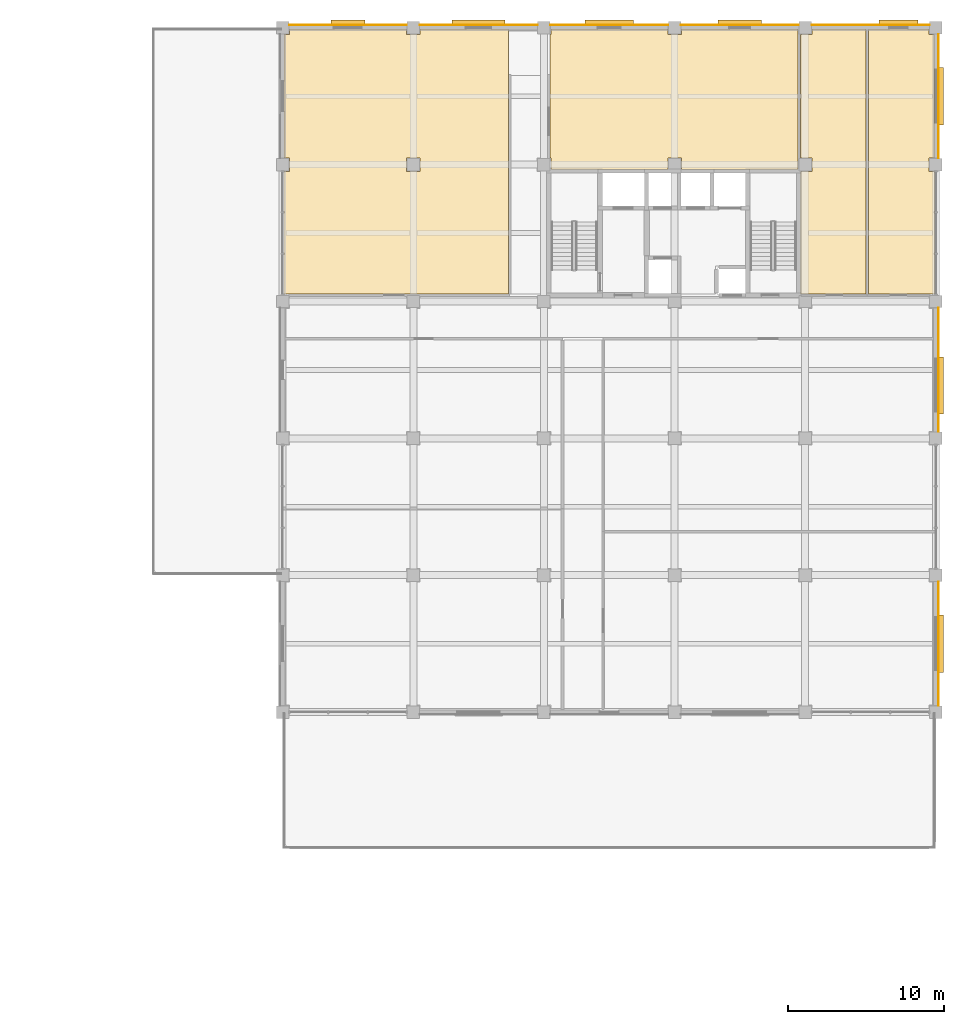
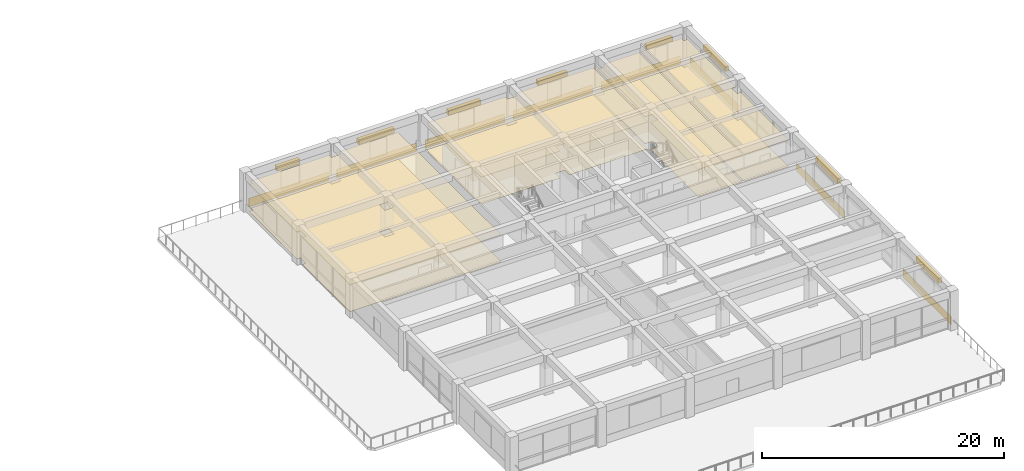
# One storey, part 49 of 49: 16 coverings, 8 shading devices.
"""IFC4 building model written with IfcOpenShell, lengths in metres."""

from ifc_helpers import new_model, si_unit, direction, frame, origin, origin_2d, place, context, subcontext, project, spatial, polyline, rectangle, outline, extrude, material, layer, layer_set, type_object, element, save


model = new_model("IFC4")

# Units and contexts
model_context = context("Model", 3, precision=1e-05, world=origin(), true_north=direction((0.0, 1.0)))
body_context = subcontext(model_context, "Body", "Model", "MODEL_VIEW")
ifc_project = project(units=[si_unit("LENGTHUNIT", "METRE"), si_unit("AREAUNIT", "SQUARE_METRE"), si_unit("VOLUMEUNIT", "CUBIC_METRE"), si_unit("PLANEANGLEUNIT", "RADIAN"), si_unit("MASSUNIT", "GRAM", prefix="KILO")], contexts=[model_context])

# Site, building, storey
site_placement = place(None, origin())
site = spatial("IfcSite", under=ifc_project, at=site_placement, CompositionType="ELEMENT")
building_placement = place(site_placement, origin())
building = spatial("IfcBuilding", under=site, at=building_placement, Name="Kemercrest Conservatory and Botanical Centre", CompositionType="ELEMENT")
storey_placement = place(building_placement, frame((0.0, 0.0, 13.199951171875)))
storey = spatial("IfcBuildingStorey", under=building, at=storey_placement, Name="L03", CompositionType="ELEMENT", Elevation=13.199951171875)

# Coverings
ifc_material_1 = material(Name="Glazed turquoise ceramic tile spandrel", Category="masonry")
ifc_layer_1 = layer(ifc_material_1, 0.028076171875)
ifc_layer_set_1 = layer_set([ifc_layer_1], Name="Glazed turquoise ceramic tile spandrel")
covering_type_1 = type_object("IfcCoveringType", Name="CV-CLD028", PredefinedType="CLADDING", material=ifc_layer_set_1)
covering_1_placement = place(storey_placement, origin())
element("IfcCovering", 1, at=covering_1_placement, inside=storey, type_object=covering_type_1, Name="Exterior stone spandrel cladding (WAL:L03:EXT-213)", PredefinedType="CLADDING", context=body_context, shape_type="SweptSolid", body=[
    extrude(outline(polyline([(176.14990234375, 78.81005859375), (176.177978515625, 78.81005859375), (176.177978515625, 86.7900390625), (176.14990234375, 86.7900390625), (176.14990234375, 78.81005859375)])), origin(), (0.0, 0.0, 1.0), 0.85009765625),
])
covering_2_placement = place(storey_placement, origin())
element("IfcCovering", 2, at=covering_2_placement, inside=storey, type_object=covering_type_1, Name="Exterior stone spandrel cladding (WAL:L03:EXT-214)", PredefinedType="CLADDING", context=body_context, shape_type="SweptSolid", body=[
    extrude(outline(polyline([(176.14990234375, 96.409912109375), (176.177978515625, 96.409912109375), (176.177978515625, 104.389892578125), (176.14990234375, 104.389892578125), (176.14990234375, 96.409912109375)])), origin(), (0.0, 0.0, 1.0), 0.85009765625),
])
covering_3_placement = place(storey_placement, origin())
element("IfcCovering", 3, at=covering_3_placement, inside=storey, type_object=covering_type_1, Name="Exterior stone spandrel cladding (WAL:L03:EXT-215)", PredefinedType="CLADDING", context=body_context, shape_type="SweptSolid", body=[
    extrude(outline(polyline([(176.14990234375, 114.010009765625), (176.177978515625, 114.010009765625), (176.177978515625, 121.989990234375), (176.14990234375, 121.989990234375), (176.14990234375, 114.010009765625)])), origin(), (0.0, 0.0, 1.0), 0.85009765625),
])
covering_4_placement = place(storey_placement, origin())
element("IfcCovering", 4, at=covering_4_placement, inside=storey, type_object=covering_type_1, Name="Exterior stone spandrel cladding (WAL:L03:EXT-216)", PredefinedType="CLADDING", context=body_context, shape_type="SweptSolid", body=[
    extrude(outline(polyline([(175.590087890625, 122.550048828125), (175.590087890625, 122.577880859375), (168.010009765625, 122.577880859375), (168.010009765625, 122.550048828125), (175.590087890625, 122.550048828125)])), origin(), (0.0, 0.0, 1.0), 0.85009765625),
])
covering_5_placement = place(storey_placement, origin())
element("IfcCovering", 5, at=covering_5_placement, inside=storey, type_object=covering_type_1, Name="Exterior stone spandrel cladding (WAL:L03:EXT-217)", PredefinedType="CLADDING", context=body_context, shape_type="SweptSolid", body=[
    extrude(outline(polyline([(167.18994140625, 122.550048828125), (167.18994140625, 122.577880859375), (159.610107421875, 122.577880859375), (159.610107421875, 122.550048828125), (167.18994140625, 122.550048828125)])), origin(), (0.0, 0.0, 1.0), 0.85009765625),
])
covering_6_placement = place(storey_placement, origin())
element("IfcCovering", 6, at=covering_6_placement, inside=storey, type_object=covering_type_1, Name="Exterior stone spandrel cladding (WAL:L03:EXT-218)", PredefinedType="CLADDING", context=body_context, shape_type="SweptSolid", body=[
    extrude(outline(polyline([(158.7900390625, 122.550048828125), (158.7900390625, 122.577880859375), (151.2099609375, 122.577880859375), (151.2099609375, 122.550048828125), (158.7900390625, 122.550048828125)])), origin(), (0.0, 0.0, 1.0), 0.85009765625),
])
covering_7_placement = place(storey_placement, origin())
element("IfcCovering", 7, at=covering_7_placement, inside=storey, type_object=covering_type_1, Name="Exterior stone spandrel cladding (WAL:L03:EXT-219)", PredefinedType="CLADDING", context=body_context, shape_type="SweptSolid", body=[
    extrude(outline(polyline([(150.389892578125, 122.550048828125), (150.389892578125, 122.577880859375), (142.81005859375, 122.577880859375), (142.81005859375, 122.550048828125), (150.389892578125, 122.550048828125)])), origin(), (0.0, 0.0, 1.0), 0.85009765625),
])
covering_8_placement = place(storey_placement, origin())
element("IfcCovering", 8, at=covering_8_placement, inside=storey, type_object=covering_type_1, Name="Exterior stone spandrel cladding (WAL:L03:EXT-220)", PredefinedType="CLADDING", context=body_context, shape_type="SweptSolid", body=[
    extrude(outline(polyline([(141.989990234375, 122.550048828125), (141.989990234375, 122.577880859375), (134.409912109375, 122.577880859375), (134.409912109375, 122.550048828125), (141.989990234375, 122.550048828125)])), origin(), (0.0, 0.0, 1.0), 0.85009765625),
])
ifc_material_2 = material(Name="Perforated acoustic gypsum and mineral-fibre suspended ceiling", Category="gypsum")
ifc_layer_2 = layer(ifc_material_2, 0.034912109375)
ifc_layer_set_2 = layer_set([ifc_layer_2], Name="Perforated acoustic gypsum and mineral-fibre suspended ceiling")
covering_type_2 = type_object("IfcCoveringType", Name="CV-CLG035", PredefinedType="CEILING", material=ifc_layer_set_2)
covering_9_placement = place(storey_placement, frame((0.0, 0.0, 2.699951171875)))
element("IfcCovering", 9, at=covering_9_placement, inside=storey, type_object=covering_type_2, Name="Principal Investigator Office suspended acoustic ceiling", PredefinedType="CEILING", context=body_context, shape_type="SweptSolid", body=[
    extrude(outline(polyline([(134.43994140625, 113.159912109375), (134.080078125, 113.159912109375), (134.080078125, 105.280029296875), (148.52001953125, 105.280029296875), (148.52001953125, 122.320068359375), (142.840087890625, 122.320068359375), (142.840087890625, 121.9599609375), (141.9599609375, 121.9599609375), (141.9599609375, 122.320068359375), (134.43994140625, 122.320068359375), (134.43994140625, 121.9599609375), (134.080078125, 121.9599609375), (134.080078125, 114.0400390625), (134.43994140625, 114.0400390625), (134.43994140625, 113.159912109375)]), holes=[polyline([(142.840087890625, 114.0400390625), (142.840087890625, 113.159912109375), (141.9599609375, 113.159912109375), (141.9599609375, 114.0400390625), (142.840087890625, 114.0400390625)])]), origin(), (0.0, 0.0, 1.0), 0.03515625),
])
covering_10_placement = place(storey_placement, frame((0.0, 0.0, 2.699951171875)))
element("IfcCovering", 10, at=covering_10_placement, inside=storey, type_object=covering_type_2, Name="Growth Chamber Suite suspended acoustic ceiling", PredefinedType="CEILING", context=body_context, shape_type="SweptSolid", body=[
    extrude(outline(polyline([(159.639892578125, 113.280029296875), (167.1201171875, 113.280029296875), (167.1201171875, 122.320068359375), (159.639892578125, 122.320068359375), (159.639892578125, 121.9599609375), (158.760009765625, 121.9599609375), (158.760009765625, 122.320068359375), (151.239990234375, 122.320068359375), (151.239990234375, 121.9599609375), (151.179931640625, 121.9599609375), (151.179931640625, 114.0400390625), (151.239990234375, 114.0400390625), (151.239990234375, 113.280029296875), (158.760009765625, 113.280029296875), (158.760009765625, 114.0400390625), (159.639892578125, 114.0400390625), (159.639892578125, 113.280029296875)])), origin(), (0.0, 0.0, 1.0), 0.03515625),
])
covering_11_placement = place(storey_placement, frame((0.0, 0.0, 2.699951171875)))
element("IfcCovering", 11, at=covering_11_placement, inside=storey, type_object=covering_type_2, Name="Staff Washroom suspended acoustic ceiling", PredefinedType="CEILING", context=body_context, shape_type="SweptSolid", body=[
    extrude(outline(polyline([(167.280029296875, 105.280029296875), (171.52001953125, 105.280029296875), (171.52001953125, 122.320068359375), (168.0400390625, 122.320068359375), (168.0400390625, 121.9599609375), (167.280029296875, 121.9599609375), (167.280029296875, 114.0400390625), (168.0400390625, 114.0400390625), (168.0400390625, 113.159912109375), (167.280029296875, 113.159912109375), (167.280029296875, 105.280029296875)])), origin(), (0.0, 0.0, 1.0), 0.03515625),
])
covering_12_placement = place(storey_placement, frame((0.0, 0.0, 2.699951171875)))
element("IfcCovering", 12, at=covering_12_placement, inside=storey, type_object=covering_type_2, Name="Accessible Washroom suspended acoustic ceiling", PredefinedType="CEILING", context=body_context, shape_type="SweptSolid", body=[
    extrude(outline(polyline([(171.679931640625, 105.280029296875), (175.919921875, 105.280029296875), (175.919921875, 113.159912109375), (175.56005859375, 113.159912109375), (175.56005859375, 114.0400390625), (175.919921875, 114.0400390625), (175.919921875, 121.9599609375), (175.56005859375, 121.9599609375), (175.56005859375, 122.320068359375), (171.679931640625, 122.320068359375), (171.679931640625, 105.280029296875)])), origin(), (0.0, 0.0, 1.0), 0.03515625),
])
ifc_material_3 = material(Name="Polished limestone terrazzo and seamless laboratory epoxy flooring", Category="masonry")
ifc_layer_3 = layer(ifc_material_3, 0.02001953125)
ifc_layer_set_3 = layer_set([ifc_layer_3], Name="Polished limestone terrazzo and seamless laboratory epoxy flooring")
covering_type_3 = type_object("IfcCoveringType", Name="CV-FLR020", PredefinedType="FLOORING", material=ifc_layer_set_3)
covering_13_placement = place(storey_placement, origin())
element("IfcCovering", 13, at=covering_13_placement, inside=storey, type_object=covering_type_3, Name="Principal Investigator Office floor finish", PredefinedType="FLOORING", context=body_context, shape_type="SweptSolid", body=[
    extrude(outline(polyline([(134.43994140625, 113.159912109375), (134.080078125, 113.159912109375), (134.080078125, 105.280029296875), (148.52001953125, 105.280029296875), (148.52001953125, 122.320068359375), (142.840087890625, 122.320068359375), (142.840087890625, 121.9599609375), (141.9599609375, 121.9599609375), (141.9599609375, 122.320068359375), (134.43994140625, 122.320068359375), (134.43994140625, 121.9599609375), (134.080078125, 121.9599609375), (134.080078125, 114.0400390625), (134.43994140625, 114.0400390625), (134.43994140625, 113.159912109375)]), holes=[polyline([(142.840087890625, 114.0400390625), (142.840087890625, 113.159912109375), (141.9599609375, 113.159912109375), (141.9599609375, 114.0400390625), (142.840087890625, 114.0400390625)])]), origin(), (0.0, 0.0, 1.0), 0.02001953125),
])
covering_14_placement = place(storey_placement, origin())
element("IfcCovering", 14, at=covering_14_placement, inside=storey, type_object=covering_type_3, Name="Growth Chamber Suite floor finish", PredefinedType="FLOORING", context=body_context, shape_type="SweptSolid", body=[
    extrude(outline(polyline([(159.639892578125, 113.280029296875), (167.1201171875, 113.280029296875), (167.1201171875, 122.320068359375), (159.639892578125, 122.320068359375), (159.639892578125, 121.9599609375), (158.760009765625, 121.9599609375), (158.760009765625, 122.320068359375), (151.239990234375, 122.320068359375), (151.239990234375, 121.9599609375), (151.179931640625, 121.9599609375), (151.179931640625, 114.0400390625), (151.239990234375, 114.0400390625), (151.239990234375, 113.280029296875), (158.760009765625, 113.280029296875), (158.760009765625, 114.0400390625), (159.639892578125, 114.0400390625), (159.639892578125, 113.280029296875)])), origin(), (0.0, 0.0, 1.0), 0.02001953125),
])
covering_15_placement = place(storey_placement, origin())
element("IfcCovering", 15, at=covering_15_placement, inside=storey, type_object=covering_type_3, Name="Staff Washroom floor finish", PredefinedType="FLOORING", context=body_context, shape_type="SweptSolid", body=[
    extrude(outline(polyline([(167.280029296875, 105.280029296875), (171.52001953125, 105.280029296875), (171.52001953125, 122.320068359375), (168.0400390625, 122.320068359375), (168.0400390625, 121.9599609375), (167.280029296875, 121.9599609375), (167.280029296875, 114.0400390625), (168.0400390625, 114.0400390625), (168.0400390625, 113.159912109375), (167.280029296875, 113.159912109375), (167.280029296875, 105.280029296875)])), origin(), (0.0, 0.0, 1.0), 0.02001953125),
])
covering_16_placement = place(storey_placement, origin())
element("IfcCovering", 16, at=covering_16_placement, inside=storey, type_object=covering_type_3, Name="Accessible Washroom floor finish", PredefinedType="FLOORING", context=body_context, shape_type="SweptSolid", body=[
    extrude(outline(polyline([(171.679931640625, 105.280029296875), (175.919921875, 105.280029296875), (175.919921875, 113.159912109375), (175.56005859375, 113.159912109375), (175.56005859375, 114.0400390625), (175.919921875, 114.0400390625), (175.919921875, 121.9599609375), (175.56005859375, 121.9599609375), (175.56005859375, 122.320068359375), (171.679931640625, 122.320068359375), (171.679931640625, 105.280029296875)])), origin(), (0.0, 0.0, 1.0), 0.02001953125),
])

# Shading devices
ifc_material_4 = material(Name="Architectural bronze-anodized extruded aluminium", Category="aluminium")
shading_device_type_1 = type_object("IfcShadingDeviceType", Name="SH-JL01", PredefinedType="JALOUSIE", material=ifc_material_4)
shading_device_1_placement = place(storey_placement, frame((176.322998046875, 118.0, 2.9052734375), z_axis=(0.0, 0.0, 1.0), x_axis=(0.0, 1.0, 0.0)))
element("IfcShadingDevice", 17, at=shading_device_1_placement, inside=storey, type_object=shading_device_type_1, Name="Solar control louvre visor SH-JL01 (WIN:L03:EXT-215)", PredefinedType="JALOUSIE", context=body_context, shape_type="SweptSolid", body=[
    extrude(rectangle(XDim=3.679931640625, YDim=0.35009765625, at=origin_2d()), origin(), (0.0, 0.0, 1.0), 0.449951171875),
])
shading_device_2_placement = place(storey_placement, frame((138.199951171875, 122.722900390625, 2.6552734375), z_axis=(0.0, 0.0, 1.0), x_axis=(-1.0, 0.0, 0.0)))
element("IfcShadingDevice", 18, at=shading_device_2_placement, inside=storey, type_object=shading_device_type_1, Name="Solar control louvre visor SH-JL01 (WIN:L03:EXT-220)", PredefinedType="JALOUSIE", context=body_context, shape_type="SweptSolid", body=[
    extrude(rectangle(XDim=2.199951171875, YDim=0.35009765625, at=origin_2d()), origin(), (0.0, 0.0, 1.0), 0.449951171875),
])
shading_device_type_2 = type_object("IfcShadingDeviceType", Name="SH-JL02", PredefinedType="JALOUSIE", material=ifc_material_4)
shading_device_3_placement = place(storey_placement, frame((173.594970703125, 122.722900390625, 2.55517578125), z_axis=(0.0, 0.0, 1.0), x_axis=(-1.0, 0.0, 0.0)))
element("IfcShadingDevice", 19, at=shading_device_3_placement, inside=storey, type_object=shading_device_type_2, Name="Solar control louvre visor SH-JL02 (WIN:L03:EXT-216)", PredefinedType="JALOUSIE", context=body_context, shape_type="SweptSolid", body=[
    extrude(rectangle(XDim=2.5, YDim=0.35009765625, at=origin_2d()), origin(), (0.0, 0.0, 1.0), 0.449951171875),
])
shading_device_type_3 = type_object("IfcShadingDeviceType", Name="SH-JL03", PredefinedType="JALOUSIE", material=ifc_material_4)
shading_device_4_placement = place(storey_placement, frame((163.39990234375, 122.722900390625, 2.55517578125), z_axis=(0.0, 0.0, 1.0), x_axis=(-1.0, 0.0, 0.0)))
element("IfcShadingDevice", 20, at=shading_device_4_placement, inside=storey, type_object=shading_device_type_3, Name="Solar control louvre visor SH-JL03 (WIN:L03:EXT-217)", PredefinedType="JALOUSIE", context=body_context, shape_type="SweptSolid", body=[
    extrude(rectangle(XDim=2.800048828125, YDim=0.35009765625, at=origin_2d()), origin(), (0.0, 0.0, 1.0), 0.449951171875),
])
shading_device_type_4 = type_object("IfcShadingDeviceType", Name="SH-JL04", PredefinedType="JALOUSIE", material=ifc_material_4)
shading_device_5_placement = place(storey_placement, frame((176.322998046875, 82.800048828125, 2.880126953125), z_axis=(0.0, 0.0, 1.0), x_axis=(0.0, 1.0, 0.0)))
element("IfcShadingDevice", 21, at=shading_device_5_placement, inside=storey, type_object=shading_device_type_4, Name="Solar control louvre visor SH-JL04 (WIN:L03:EXT-213)", PredefinedType="JALOUSIE", context=body_context, shape_type="SweptSolid", body=[
    extrude(rectangle(XDim=3.679931640625, YDim=0.35009765625, at=origin_2d()), origin(), (0.0, 0.0, 1.0), 0.5),
])
shading_device_6_placement = place(storey_placement, frame((155.0, 122.722900390625, 2.530029296875), z_axis=(0.0, 0.0, 1.0), x_axis=(-1.0, 0.0, 0.0)))
element("IfcShadingDevice", 22, at=shading_device_6_placement, inside=storey, type_object=shading_device_type_4, Name="Solar control louvre visor SH-JL04 (WIN:L03:EXT-218)", PredefinedType="JALOUSIE", context=body_context, shape_type="SweptSolid", body=[
    extrude(rectangle(XDim=3.10009765625, YDim=0.35009765625, at=origin_2d()), origin(), (0.0, 0.0, 1.0), 0.5),
])
shading_device_type_5 = type_object("IfcShadingDeviceType", Name="SH-JL05", PredefinedType="JALOUSIE", material=ifc_material_4)
shading_device_7_placement = place(storey_placement, frame((176.322998046875, 99.405029296875, 2.880126953125), z_axis=(0.0, 0.0, 1.0), x_axis=(0.0, 1.0, 0.0)))
element("IfcShadingDevice", 23, at=shading_device_7_placement, inside=storey, type_object=shading_device_type_5, Name="Solar control louvre visor SH-JL05 (WIN:L03:EXT-214)", PredefinedType="JALOUSIE", context=body_context, shape_type="SweptSolid", body=[
    extrude(rectangle(XDim=3.679931640625, YDim=0.35009765625, at=origin_2d()), origin(), (0.0, 0.0, 1.0), 0.5),
])
shading_device_8_placement = place(storey_placement, frame((146.60009765625, 122.722900390625, 2.580078125), z_axis=(0.0, 0.0, 1.0), x_axis=(-1.0, 0.0, 0.0)))
element("IfcShadingDevice", 24, at=shading_device_8_placement, inside=storey, type_object=shading_device_type_5, Name="Solar control louvre visor SH-JL05 (WIN:L03:EXT-219)", PredefinedType="JALOUSIE", context=body_context, shape_type="SweptSolid", body=[
    extrude(rectangle(XDim=3.39990234375, YDim=0.35009765625, at=origin_2d()), origin(), (0.0, 0.0, 1.0), 0.5),
])

save(model, "model.ifc")
